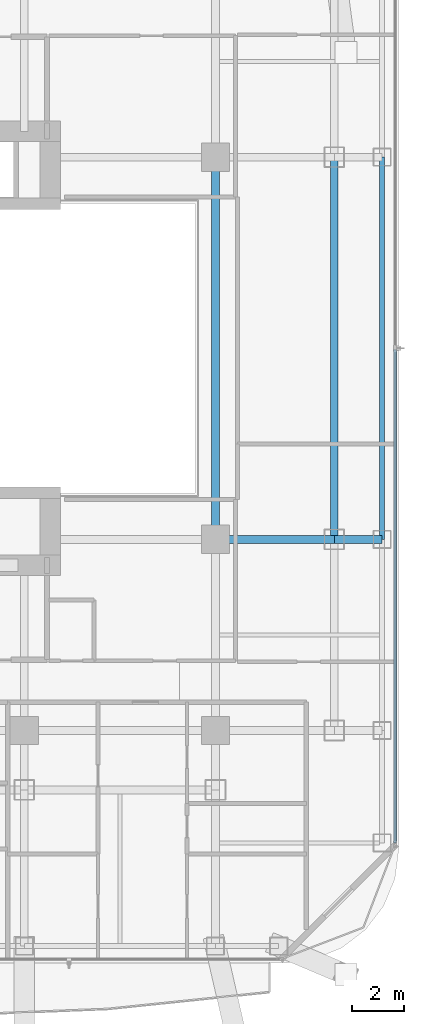
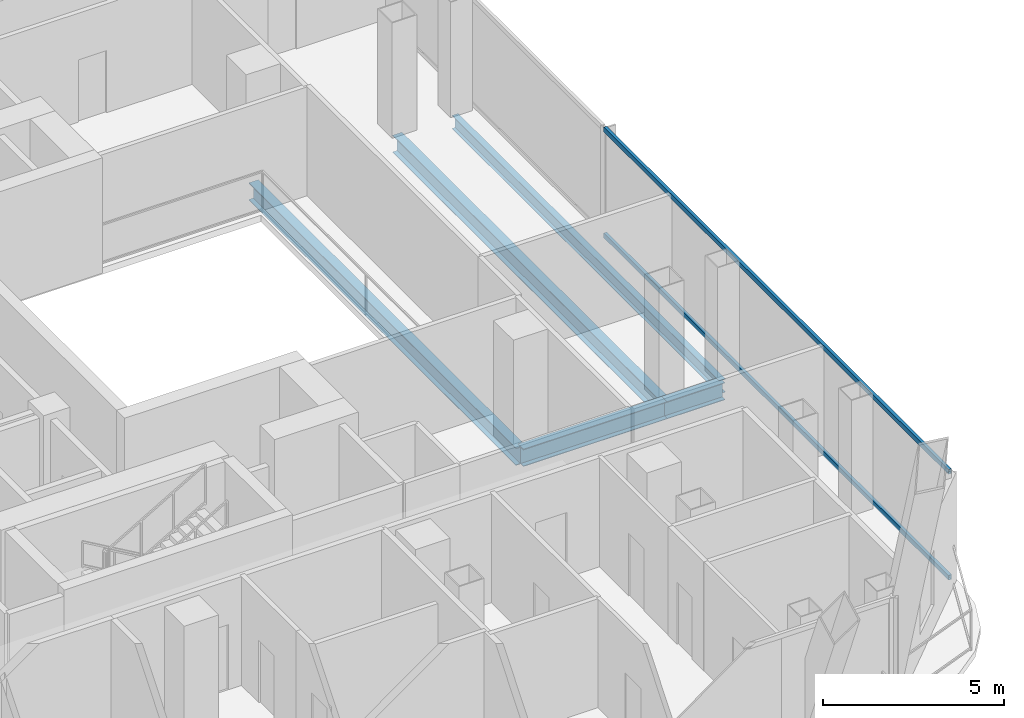
# One storey, part 12 of 34: 5 beams, 2 members, 1 element without a shape of its own.
"""IFC4 building model written with IfcOpenShell, lengths in metres."""

from ifc_helpers import new_model, si_unit, direction, frame, origin, origin_2d, place, context, subcontext, project, spatial, hollow_rectangle, i_section, extrude, material, layer, layer_set, material_profile, profile_set, type_object, element, aggregate, save


model = new_model("IFC4")

# Units and contexts
model_context = context("Model", 3, precision=1e-05, world=origin(), true_north=direction((0.0, 1.0)))
body_context = subcontext(model_context, "Body", "Model", "MODEL_VIEW")
ifc_project = project(units=[si_unit("LENGTHUNIT", "METRE"), si_unit("AREAUNIT", "SQUARE_METRE"), si_unit("VOLUMEUNIT", "CUBIC_METRE"), si_unit("PLANEANGLEUNIT", "RADIAN"), si_unit("MASSUNIT", "GRAM", prefix="KILO")], contexts=[model_context])

# Site, building, storey
site_placement = place(None, origin())
site = spatial("IfcSite", under=ifc_project, at=site_placement, CompositionType="ELEMENT")
building_placement = place(site_placement, origin())
building = spatial("IfcBuilding", under=site, at=building_placement, Name="Khorvyn Point Tower", CompositionType="ELEMENT")
storey_placement = place(building_placement, frame((0.0, 0.0, 175.800048828125)))
storey = spatial("IfcBuildingStorey", under=building, at=storey_placement, Name="L43", CompositionType="ELEMENT", Elevation=175.800048828125)

# Curtain wall, members
ifc_material_1 = material(Name="Anodised aluminium 6063-T6 and laminated Low-E glass", Category="aluminium")
ifc_layer = layer(ifc_material_1, 0.18994140625)
ifc_layer_set = layer_set([ifc_layer], Name="Stick-Built Acoustic Curtain Wall CW-SYS-03")
curtain_wall_type = type_object("IfcCurtainWallType", Name="Stick-Built Acoustic Curtain Wall CW-SYS-03", PredefinedType="NOTDEFINED", material=ifc_layer_set)
curtain_wall_placement = place(storey_placement, origin())
curtain_wall = element("IfcCurtainWall", 1, at=curtain_wall_placement, inside=storey, type_object=curtain_wall_type, Name="Curtain Wall", PredefinedType="NOTDEFINED")
ifc_material_2 = material(Name="Anodised aluminium 6063-T6", Category="aluminium")
ifc_material_profile_1 = material_profile(ifc_material_2, hollow_rectangle(XDim=0.10009765625, YDim=0.159912109375, WallThickness=0.00439453125, at=origin_2d()))
ifc_profile_set_1 = profile_set([ifc_material_profile_1], Name="Anodised aluminium 6063-T6 ALU-TRN-100x160")
member_type = type_object("IfcMemberType", Name="Anodised Aluminium 6063-T6 Transom ALU-TRN-100x160", PredefinedType="USERDEFINED", material=ifc_profile_set_1)
member_1_placement = place(storey_placement, frame((21.75, -0.050048828125, 0.050048828125), z_axis=(0.0, -1.0, 0.0), x_axis=(1.0, 0.0, 0.0)))
member_1 = element("IfcMember", 2, at=member_1_placement, type_object=member_type, Name="Transom", ObjectType="TRANSOM", PredefinedType="USERDEFINED", context=body_context, shape_type="SweptSolid", body=[
    extrude(hollow_rectangle(XDim=0.10009765625, YDim=0.159912109375, WallThickness=0.00439453125, at=origin_2d()), origin(), (0.0, 0.0, 1.0), 19.099853515625),
])
member_2_placement = place(storey_placement, frame((21.75, -0.050048828125, 3.6298828125), z_axis=(0.0, -1.0, 0.0), x_axis=(1.0, 0.0, 0.0)))
member_2 = element("IfcMember", 3, at=member_2_placement, type_object=member_type, Name="Transom", ObjectType="TRANSOM", PredefinedType="USERDEFINED", context=body_context, shape_type="SweptSolid", body=[
    extrude(hollow_rectangle(XDim=0.10009765625, YDim=0.159912109375, WallThickness=0.00439453125, at=origin_2d()), origin(), (0.0, 0.0, 1.0), 19.099853515625),
])
aggregate(curtain_wall, [member_1, member_2])

# Beams
ifc_material_3 = material(Name="Steel S355", Category="steel")
ifc_material_profile_2 = material_profile(ifc_material_3, i_section(OverallWidth=0.300048828125, OverallDepth=0.587890625, WebThickness=0.011962890625, FlangeThickness=0.02001953125, at=origin_2d()))
ifc_profile_set_2 = profile_set([ifc_material_profile_2], Name="Steel S355 H588x300x12x20")
beam_type_1 = type_object("IfcBeamType", Name="Steel S355 Beam H588x300x12x20", PredefinedType="BEAM", material=ifc_profile_set_2)
beam_1_placement = place(storey_placement, frame((14.800048828125, -7.39990234375, -0.51416015625), z_axis=(1.0, 0.0, 0.0), x_axis=(0.0, 1.0, 0.0)))
element("IfcBeam", 4, at=beam_1_placement, inside=storey, type_object=beam_type_1, Name="Beam", PredefinedType="BEAM", context=body_context, shape_type="SweptSolid", body=[
    extrude(i_section(OverallWidth=0.300048828125, OverallDepth=0.587890625, WebThickness=0.011962890625, FlangeThickness=0.02001953125, at=origin_2d()), origin(), (0.0, 0.0, 1.0), 4.599853515625),
])
beam_2_placement = place(storey_placement, frame((19.39990234375, -7.39990234375, -0.51416015625), z_axis=(1.0, 0.0, 0.0), x_axis=(0.0, 1.0, 0.0)))
element("IfcBeam", 5, at=beam_2_placement, inside=storey, type_object=beam_type_1, Name="Beam", PredefinedType="BEAM", context=body_context, shape_type="SweptSolid", body=[
    extrude(i_section(OverallWidth=0.300048828125, OverallDepth=0.587890625, WebThickness=0.011962890625, FlangeThickness=0.02001953125, at=origin_2d()), origin(), (0.0, 0.0, 1.0), 1.85009765625),
])
for number, where, z_axis, x_axis, name in (
    (6, (14.800048828125, -7.39990234375, -0.51416015625), (0.0, 1.0, 0.0), (-1.0, 0.0, 0.0), "Beam"),
    (7, (19.39990234375, -7.39990234375, -0.51416015625), (0.0, 1.0, 0.0), (-1.0, 0.0, 0.0), "Beam"),
):
    element("IfcBeam", number, at=place(storey_placement, frame(where, z_axis=z_axis, x_axis=x_axis)), inside=storey, type_object=beam_type_1, Name=name, PredefinedType="BEAM", context=body_context, shape_type="SweptSolid", body=[
        extrude(i_section(OverallWidth=0.300048828125, OverallDepth=0.587890625, WebThickness=0.011962890625, FlangeThickness=0.02001953125, at=origin_2d()), origin(), (0.0, 0.0, 1.0), 14.7998046875),
    ])
ifc_material_profile_3 = material_profile(ifc_material_3, i_section(OverallWidth=0.199951171875, OverallDepth=0.449951171875, WebThickness=0.009033203125, FlangeThickness=0.013916015625, at=origin_2d()))
ifc_profile_set_3 = profile_set([ifc_material_profile_3], Name="Steel S355 H450x200x9x14")
beam_type_2 = type_object("IfcBeamType", Name="Steel S355 Spandrel H450x200x9x14", PredefinedType="SPANDREL", material=ifc_profile_set_3)
beam_3_placement = place(storey_placement, frame((21.25, -7.39990234375, -0.445068359375), z_axis=(0.0, 1.0, 0.0), x_axis=(-1.0, 0.0, 0.0)))
element("IfcBeam", 8, at=beam_3_placement, inside=storey, type_object=beam_type_2, Name="Beam", PredefinedType="SPANDREL", context=body_context, shape_type="SweptSolid", body=[
    extrude(i_section(OverallWidth=0.199951171875, OverallDepth=0.449951171875, WebThickness=0.009033203125, FlangeThickness=0.013916015625, at=origin_2d()), origin(), (0.0, 0.0, 1.0), 14.7998046875),
])

save(model, "model.ifc")
